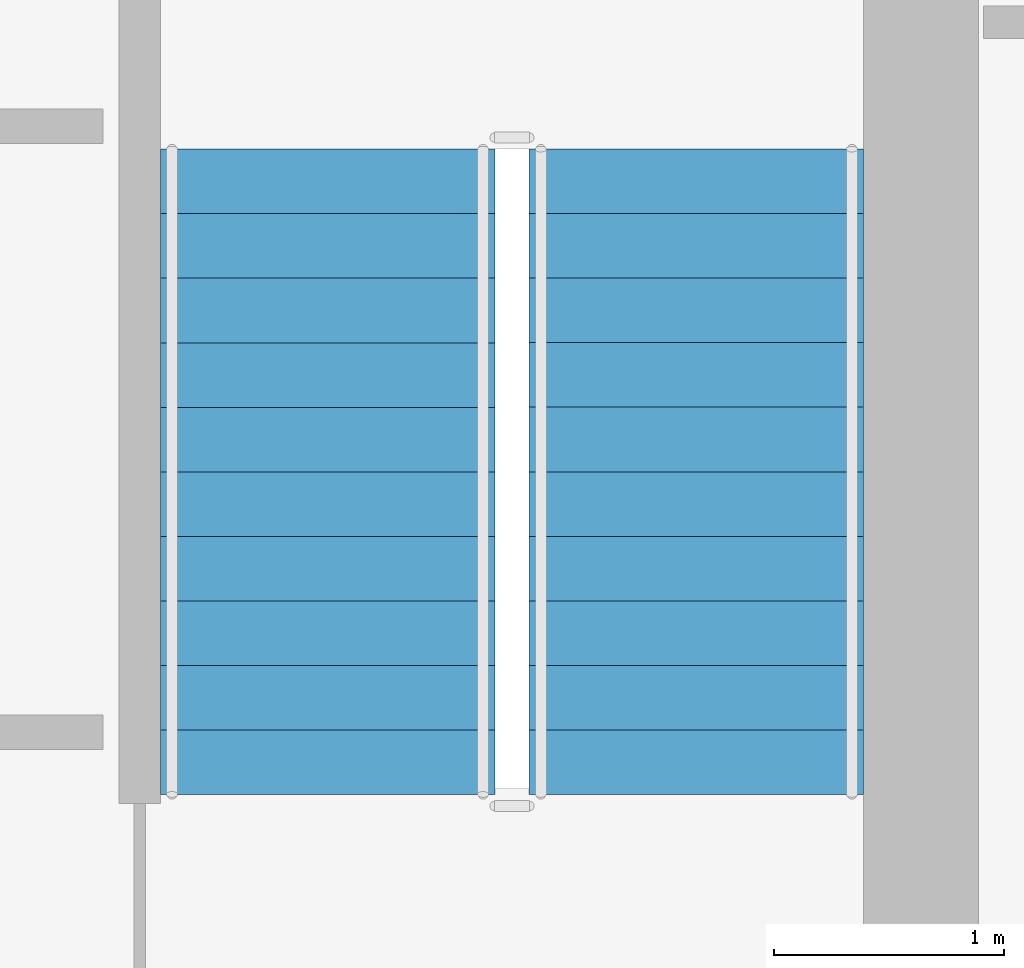
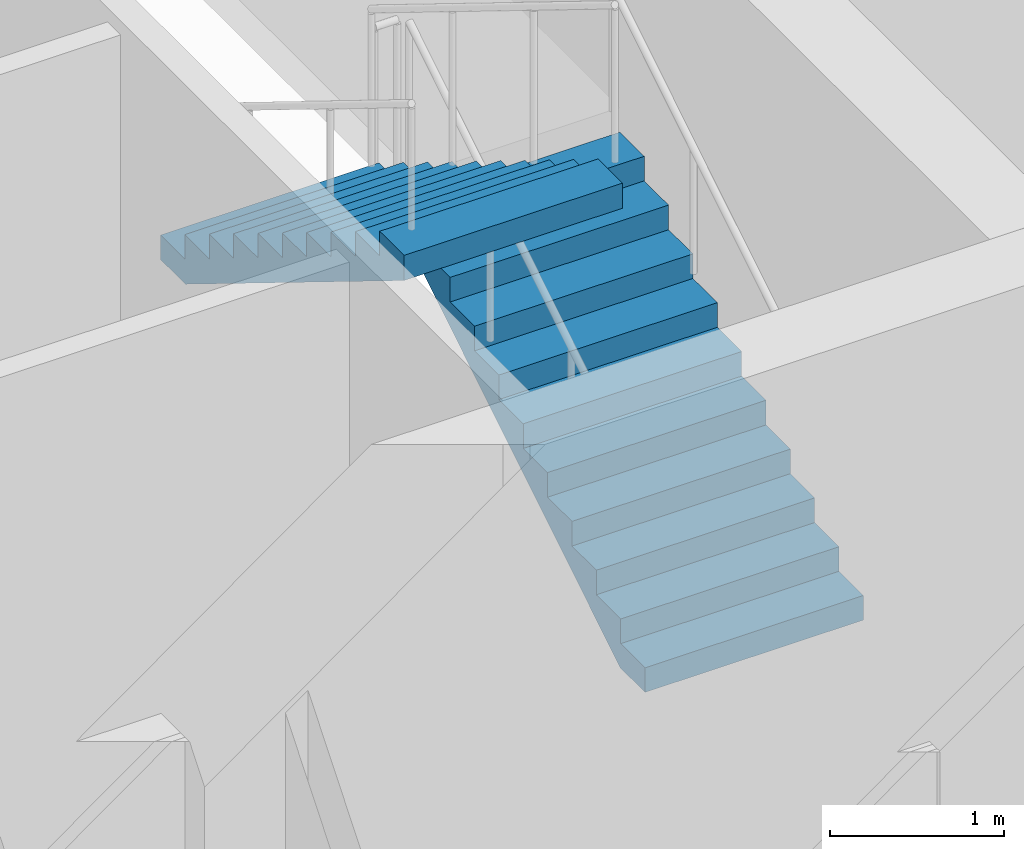
# One storey, part 33 of 36: 2 stair flights, 1 element without a shape of its own.
"""IFC4 building model written with IfcOpenShell, lengths in metres."""

from ifc_helpers import new_model, si_unit, direction, frame, origin, place, context, subcontext, project, spatial, polyline, outline, extrude, material, type_object, element, aggregate, save


model = new_model("IFC4")

# Units and contexts
model_context = context("Model", 3, precision=1e-05, world=origin(), true_north=direction((0.0, 1.0)))
body_context = subcontext(model_context, "Body", "Model", "MODEL_VIEW")
ifc_project = project(units=[si_unit("LENGTHUNIT", "METRE"), si_unit("AREAUNIT", "SQUARE_METRE"), si_unit("VOLUMEUNIT", "CUBIC_METRE"), si_unit("PLANEANGLEUNIT", "RADIAN"), si_unit("MASSUNIT", "GRAM", prefix="KILO")], contexts=[model_context])

# Site, building, storey
site_placement = place(None, origin())
site = spatial("IfcSite", under=ifc_project, at=site_placement, CompositionType="ELEMENT")
building_placement = place(site_placement, origin())
building = spatial("IfcBuilding", under=site, at=building_placement, Name="Saevonmaru Cultural Tower", CompositionType="ELEMENT")
storey_placement = place(building_placement, frame((0.0, 0.0, 182.800048828125)))
storey = spatial("IfcBuildingStorey", under=building, at=storey_placement, Name="L41", CompositionType="ELEMENT", Elevation=182.800048828125)

# Stair, stair flights
ifc_material_1 = material(Name="Concrete C40/50", Category="concrete")
stair_type = type_object("IfcStairType", Name="STR-DOGLEG-RC", PredefinedType="HALF_TURN_STAIR", material=ifc_material_1)
stair_placement = place(storey_placement, origin())
stair = element("IfcStair", 1, at=stair_placement, inside=storey, type_object=stair_type, Name="L41 Protected exit stair ST-2", PredefinedType="HALF_TURN_STAIR")
ifc_material_2 = material(Name="Precast concrete C40/50", Category="concrete")
stair_flight_type = type_object("IfcStairFlightType", Name="STF-PRECAST-180", PredefinedType="STRAIGHT", material=ifc_material_2)
stair_flight_1_placement = place(storey_placement, frame((45.074951171875, 44.85009765625, 0.0), z_axis=(0.0, 0.0, 1.0), x_axis=(0.0, 1.0, 0.0)))
stair_flight_1 = element("IfcStairFlight", 2, at=stair_flight_1_placement, type_object=stair_flight_type, Name="ST-2-L41 flight 1", NumberOfRisers=11, NumberOfTreads=10, PredefinedType="STRAIGHT", RiserHeight=0.172727273, TreadLength=0.28, context=body_context, shape_type="SweptSolid", body=[
    extrude(outline(polyline([(0.0, 0.0), (0.0, 0.172607421875), (0.280029296875, 0.172607421875), (0.280029296875, 0.345458984375), (0.56005859375, 0.345458984375), (0.56005859375, 0.51806640625), (0.840087890625, 0.51806640625), (0.840087890625, 0.69091796875), (1.1201171875, 0.69091796875), (1.1201171875, 0.863525390625), (1.39990234375, 0.863525390625), (1.39990234375, 1.036376953125), (1.679931640625, 1.036376953125), (1.679931640625, 1.208984375), (1.9599609375, 1.208984375), (1.9599609375, 1.3818359375), (2.239990234375, 1.3818359375), (2.239990234375, 1.554443359375), (2.52001953125, 1.554443359375), (2.52001953125, 1.727294921875), (2.800048828125, 1.727294921875), (2.800048828125, 1.89990234375), (2.800048828125, 1.551025390625), (0.285400390625, 0.0), (0.0, 0.0)])), frame((0.0, 0.72509765625, 0.0), z_axis=(0.0, -1.0, 0.0), x_axis=(1.0, 0.0, 0.0)), (0.0, 0.0, 1.0), 1.449951171875),
])
stair_flight_2_placement = place(storey_placement, frame((43.47509765625, 47.64990234375, 1.89990234375), z_axis=(0.0, 0.0, 1.0), x_axis=(0.0, -1.0, 0.0)))
stair_flight_2 = element("IfcStairFlight", 3, at=stair_flight_2_placement, type_object=stair_flight_type, Name="ST-2-L41 flight 2", NumberOfRisers=11, NumberOfTreads=10, PredefinedType="STRAIGHT", RiserHeight=0.172727273, TreadLength=0.28, context=body_context, shape_type="SweptSolid", body=[
    extrude(outline(polyline([(0.0, 0.0), (0.0, 0.172607421875), (0.280029296875, 0.172607421875), (0.280029296875, 0.345458984375), (0.56005859375, 0.345458984375), (0.56005859375, 0.51806640625), (0.840087890625, 0.51806640625), (0.840087890625, 0.69091796875), (1.1201171875, 0.69091796875), (1.1201171875, 0.863525390625), (1.39990234375, 0.863525390625), (1.39990234375, 1.036376953125), (1.679931640625, 1.036376953125), (1.679931640625, 1.208984375), (1.9599609375, 1.208984375), (1.9599609375, 1.3818359375), (2.239990234375, 1.3818359375), (2.239990234375, 1.554443359375), (2.52001953125, 1.554443359375), (2.52001953125, 1.727294921875), (2.800048828125, 1.727294921875), (2.800048828125, 1.89990234375), (2.800048828125, 1.551025390625), (0.285400390625, 0.0), (0.0, 0.0)])), frame((0.0, 0.72509765625, 0.0), z_axis=(0.0, -1.0, 0.0), x_axis=(1.0, 0.0, 0.0)), (0.0, 0.0, 1.0), 1.449951171875),
])
aggregate(stair, [stair_flight_1, stair_flight_2])

save(model, "model.ifc")
